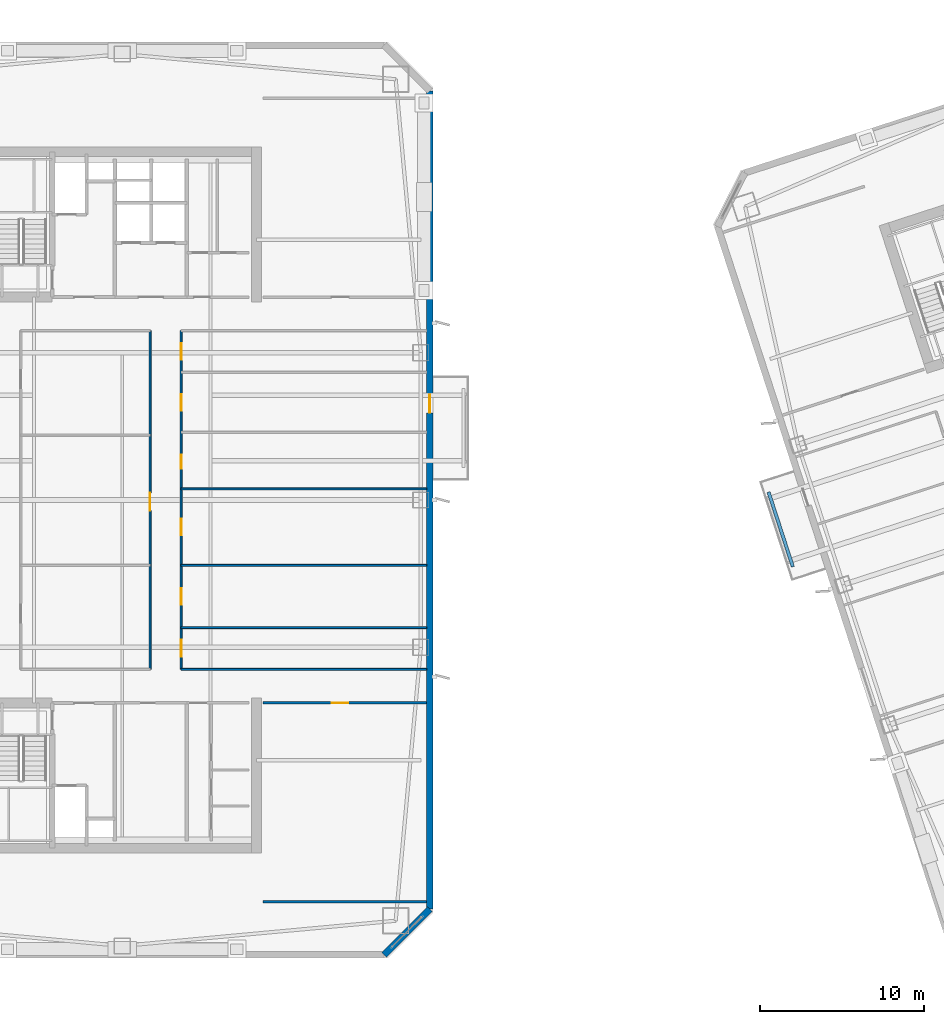
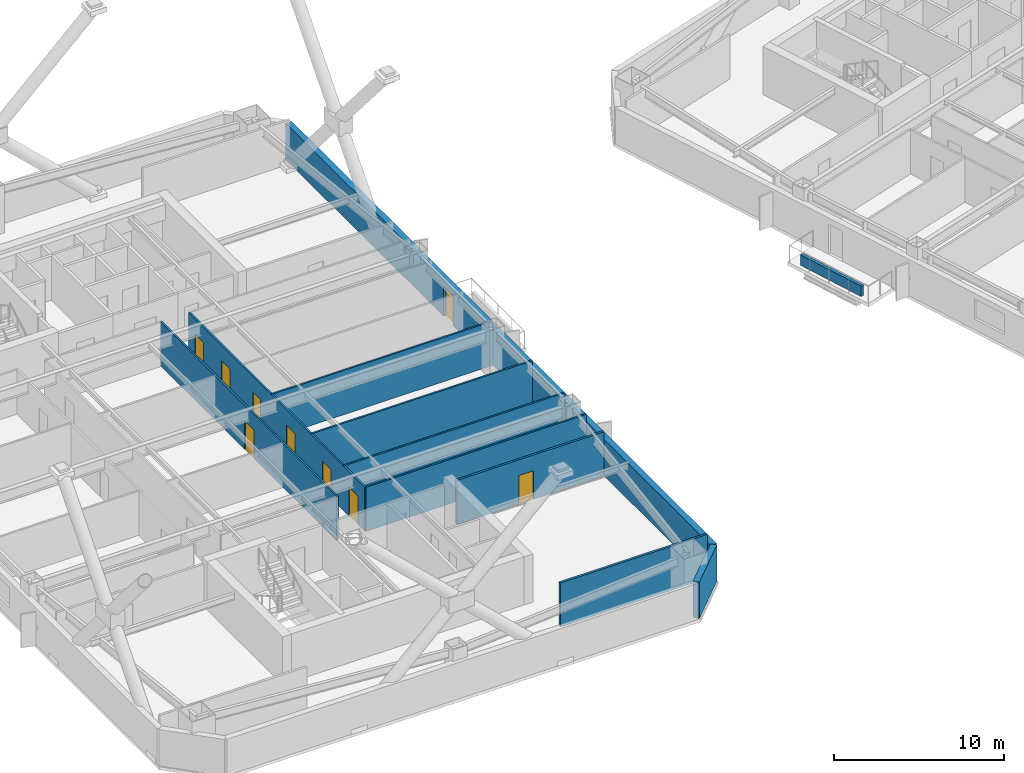
# One storey, part 13 of 24: 11 walls, 9 doors, 9 openings.
"""IFC4 building model written with IfcOpenShell, lengths in metres."""

from ifc_helpers import new_model, si_unit, direction, frame, frame_2d, origin, place, context, subcontext, project, spatial, rectangle, extrude, material, layer, layer_set, type_object, element, fill, save


model = new_model("IFC4")

# Units and contexts
model_context = context("Model", 3, precision=1e-05, world=origin(), true_north=direction((0.0, 1.0)))
body_context = subcontext(model_context, "Body", "Model", "MODEL_VIEW")
ifc_project = project(units=[si_unit("LENGTHUNIT", "METRE"), si_unit("AREAUNIT", "SQUARE_METRE"), si_unit("VOLUMEUNIT", "CUBIC_METRE"), si_unit("PLANEANGLEUNIT", "RADIAN"), si_unit("MASSUNIT", "GRAM", prefix="KILO")], contexts=[model_context])

# Site, building, storey
site_placement = place(None, origin())
site = spatial("IfcSite", under=ifc_project, at=site_placement, CompositionType="ELEMENT")
building_placement = place(site_placement, origin())
building = spatial("IfcBuilding", under=site, at=building_placement, Name="Qiaolan Cultural Towers", CompositionType="ELEMENT")
storey_placement = place(building_placement, frame((0.0, 0.0, 120.75)))
storey = spatial("IfcBuildingStorey", under=building, at=storey_placement, Name="L31", CompositionType="ELEMENT", Elevation=120.75)

# Wall, opening, door
ifc_material_1 = material(Name="Precast Concrete C50 Honed Stone Pier", Category="masonry")
ifc_layer_1 = layer(ifc_material_1, 0.39990234375)
ifc_layer_set_1 = layer_set([ifc_layer_1], Name="Precast Concrete C50 Honed Stone Pier")
wall_type_1 = type_object("IfcWallType", Name="WL-EXT-PIER-400", PredefinedType="SOLIDWALL", material=ifc_layer_set_1)
wall_1_placement = place(storey_placement, frame((48.800048828125, 59.0, 0.0), z_axis=(0.0, 0.0, 1.0), x_axis=(0.0, -1.0, 0.0)))
wall_1 = element("IfcWall", 1, at=wall_1_placement, inside=storey, type_object=wall_type_1, Name="L31 West Tower Precast Pier Facade Wall F5", PredefinedType="SOLIDWALL", context=body_context, shape_type="SweptSolid", body=[
    extrude(rectangle(XDim=50.0, YDim=0.39990234375, at=frame_2d((25.0, 0.0))), origin(), (0.0, 0.0, 1.0), 2.610107421875),
])
opening_1_placement = place(wall_1_placement, frame((18.58349609375, 0.0, 0.0)))
opening_1 = element("IfcOpeningElement", 2, at=opening_1_placement, cuts=wall_1, Name="Opening BD-01", PredefinedType="OPENING", context=body_context, shape_type="SweptSolid", body=[
    extrude(rectangle(XDim=1.10009765625, YDim=2.14990234375, at=frame_2d((0.550048828125, 1.074951171875))), frame((0.0, 0.2099609375, 0.0), z_axis=(0.0, -1.0, 0.0), x_axis=(1.0, 0.0, 0.0)), (0.0, 0.0, 1.0), 0.419921875),
])
ifc_material_2 = material(Name="Thermally Broken Aluminium Glazed Terrace Door", Category="aluminium")
door_type_1 = type_object("IfcDoorType", Name="DR-BAL-1100", OperationType="NOTDEFINED", PredefinedType="DOOR", material=ifc_material_2)
door_1_placement = place(opening_1_placement, origin())
door_1 = element("IfcDoor", 3, at=door_1_placement, inside=storey, type_object=door_type_1, Name="L31 T1 East Tree Balcony Door", OperationType="SINGLE_SWING_RIGHT", OverallHeight=2.14990234375, OverallWidth=1.10009765625, PredefinedType="DOOR", context=body_context, shape_type="SweptSolid", body=[
    extrude(rectangle(XDim=1.10009765625, YDim=2.14990234375, at=frame_2d((0.550048828125, 1.074951171875))), frame((0.0, 0.02490234375, 0.0), z_axis=(0.0, -1.0, 0.0), x_axis=(1.0, 0.0, 0.0)), (0.0, 0.0, 1.0), 0.050048828125),
])
fill(opening_1, door_1)

# Walls
wall_2_placement = place(storey_placement, frame((48.800048828125, 9.0, 0.0), z_axis=(0.0, 0.0, 1.0), x_axis=(-0.707106781187, -0.707106781187, 0.0)))
element("IfcWall", 4, at=wall_2_placement, inside=storey, type_object=wall_type_1, Name="L31 West Tower Precast Pier Facade Wall F6", PredefinedType="SOLIDWALL", context=body_context, shape_type="SweptSolid", body=[
    extrude(rectangle(XDim=3.9599609375, YDim=0.39990234375, at=frame_2d((1.97998046875, 0.0))), origin(), (0.0, 0.0, 1.0), 2.610107421875),
])
ifc_material_3 = material(Name="Gypsum Stud Acoustic Partition", Category="gypsum")
ifc_layer_2 = layer(ifc_material_3, 0.1201171875)
ifc_layer_set_2 = layer_set([ifc_layer_2], Name="Gypsum Stud Acoustic Partition")
wall_type_2 = type_object("IfcWallType", Name="WL-PART-120", PredefinedType="PARTITIONING", material=ifc_layer_set_2)
wall_3_placement = place(storey_placement, frame((33.60009765625, 23.64990234375, 0.0), z_axis=(0.0, 0.0, 1.0), x_axis=(1.0, 0.0, 0.0)))
element("IfcWall", 5, at=wall_3_placement, inside=storey, type_object=wall_type_2, Name="L31 T1 Interior Wall", PredefinedType="PARTITIONING", context=body_context, shape_type="SweptSolid", body=[
    extrude(rectangle(XDim=15.0, YDim=0.1201171875, at=frame_2d((7.5, 0.0))), origin(), (0.0, 0.0, 1.0), 3.175048828125),
])

# Wall, opening, door
wall_4_placement = place(storey_placement, frame((31.699951171875, 23.64990234375, 0.0), z_axis=(0.0, 0.0, 1.0), x_axis=(0.0, 1.0, 0.0)))
wall_4 = element("IfcWall", 6, at=wall_4_placement, inside=storey, type_object=wall_type_2, Name="L31 T1 Interior Wall", PredefinedType="PARTITIONING", context=body_context, shape_type="SweptSolid", body=[
    extrude(rectangle(XDim=20.7001953125, YDim=0.1201171875, at=frame_2d((10.35009765625, 0.0))), origin(), (0.0, 0.0, 1.0), 3.175048828125),
])
opening_2_placement = place(wall_4_placement, frame((9.69580078125, 0.0, 0.0)))
opening_2 = element("IfcOpeningElement", 7, at=opening_2_placement, cuts=wall_4, Name="Opening ID-03", PredefinedType="OPENING", context=body_context, shape_type="SweptSolid", body=[
    extrude(rectangle(XDim=1.10009765625, YDim=2.050048828125, at=frame_2d((0.550048828125, 1.02490234375))), frame((0.0, 0.070068359375, 0.0), z_axis=(0.0, -1.0, 0.0), x_axis=(1.0, 0.0, 0.0)), (0.0, 0.0, 1.0), 0.14013671875),
])
ifc_material_4 = material(Name="Oak Veneer Solid-Core Boardroom Door", Category="timber")
door_type_2 = type_object("IfcDoorType", Name="DR-INT-1100", OperationType="NOTDEFINED", PredefinedType="DOOR", material=ifc_material_4)
door_2_placement = place(opening_2_placement, origin())
door_2 = element("IfcDoor", 8, at=door_2_placement, inside=storey, type_object=door_type_2, Name="L31 T1 Central Study Salon Door", OperationType="SINGLE_SWING_LEFT", OverallHeight=2.050048828125, OverallWidth=1.10009765625, PredefinedType="DOOR", context=body_context, shape_type="SweptSolid", body=[
    extrude(rectangle(XDim=1.10009765625, YDim=2.050048828125, at=frame_2d((0.550048828125, 1.02490234375))), frame((0.0, 0.02490234375, 0.0), z_axis=(0.0, -1.0, 0.0), x_axis=(1.0, 0.0, 0.0)), (0.0, 0.0, 1.0), 0.050048828125),
])
fill(opening_2, door_2)

# Wall, openings, doors
wall_5_placement = place(storey_placement, frame((33.60009765625, 23.64990234375, 0.0), z_axis=(0.0, 0.0, 1.0), x_axis=(0.0, 1.0, 0.0)))
wall_5 = element("IfcWall", 9, at=wall_5_placement, inside=storey, type_object=wall_type_2, Name="L31 T1 Interior Wall", PredefinedType="PARTITIONING", context=body_context, shape_type="SweptSolid", body=[
    extrude(rectangle(XDim=20.7001953125, YDim=0.1201171875, at=frame_2d((10.35009765625, 0.0))), origin(), (0.0, 0.0, 1.0), 3.175048828125),
])
opening_3_placement = place(wall_5_placement, frame((0.77490234375, 0.0, 0.0)))
opening_3 = element("IfcOpeningElement", 10, at=opening_3_placement, cuts=wall_5, Name="Opening ID-07", PredefinedType="OPENING", context=body_context, shape_type="SweptSolid", body=[
    extrude(rectangle(XDim=1.050048828125, YDim=2.050048828125, at=frame_2d((0.52490234375, 1.02490234375))), frame((0.0, 0.070068359375, 0.0), z_axis=(0.0, -1.0, 0.0), x_axis=(1.0, 0.0, 0.0)), (0.0, 0.0, 1.0), 0.14013671875),
])
opening_4_placement = place(wall_5_placement, frame((3.949951171875, 0.0, 0.0)))
opening_4 = element("IfcOpeningElement", 11, at=opening_4_placement, cuts=wall_5, Name="Opening ID-04", PredefinedType="OPENING", context=body_context, shape_type="SweptSolid", body=[
    extrude(rectangle(XDim=1.0, YDim=2.050048828125, at=frame_2d((0.5, 1.02490234375))), frame((0.0, 0.070068359375, 0.0), z_axis=(0.0, -1.0, 0.0), x_axis=(1.0, 0.0, 0.0)), (0.0, 0.0, 1.0), 0.14013671875),
])
opening_5_placement = place(wall_5_placement, frame((8.18994140625, 0.0, 0.0)))
opening_5 = element("IfcOpeningElement", 12, at=opening_5_placement, cuts=wall_5, Name="Opening ID-04", PredefinedType="OPENING", context=body_context, shape_type="SweptSolid", body=[
    extrude(rectangle(XDim=1.0, YDim=2.050048828125, at=frame_2d((0.5, 1.02490234375))), frame((0.0, 0.070068359375, 0.0), z_axis=(0.0, -1.0, 0.0), x_axis=(1.0, 0.0, 0.0)), (0.0, 0.0, 1.0), 0.14013671875),
])
opening_6_placement = place(wall_5_placement, frame((12.256591796875, 0.0, 0.0)))
opening_6 = element("IfcOpeningElement", 13, at=opening_6_placement, cuts=wall_5, Name="Opening ID-09", PredefinedType="OPENING", context=body_context, shape_type="SweptSolid", body=[
    extrude(rectangle(XDim=0.85009765625, YDim=2.050048828125, at=frame_2d((0.425048828125, 1.02490234375))), frame((0.0, 0.070068359375, 0.0), z_axis=(0.0, -1.0, 0.0), x_axis=(1.0, 0.0, 0.0)), (0.0, 0.0, 1.0), 0.14013671875),
])
opening_7_placement = place(wall_5_placement, frame((15.81640625, 0.0, 0.0)))
opening_7 = element("IfcOpeningElement", 14, at=opening_7_placement, cuts=wall_5, Name="Opening ID-04", PredefinedType="OPENING", context=body_context, shape_type="SweptSolid", body=[
    extrude(rectangle(XDim=1.0, YDim=2.050048828125, at=frame_2d((0.5, 1.02490234375))), frame((0.0, 0.070068359375, 0.0), z_axis=(0.0, -1.0, 0.0), x_axis=(1.0, 0.0, 0.0)), (0.0, 0.0, 1.0), 0.14013671875),
])
opening_8_placement = place(wall_5_placement, frame((18.925048828125, 0.0, 0.0)))
opening_8 = element("IfcOpeningElement", 15, at=opening_8_placement, cuts=wall_5, Name="Opening ID-04", PredefinedType="OPENING", context=body_context, shape_type="SweptSolid", body=[
    extrude(rectangle(XDim=1.0, YDim=2.050048828125, at=frame_2d((0.5, 1.02490234375))), frame((0.0, 0.070068359375, 0.0), z_axis=(0.0, -1.0, 0.0), x_axis=(1.0, 0.0, 0.0)), (0.0, 0.0, 1.0), 0.14013671875),
])
ifc_material_5 = material(Name="Oak Veneer Acoustic Office Door", Category="timber")
door_type_3 = type_object("IfcDoorType", Name="DR-INT-1000", OperationType="NOTDEFINED", PredefinedType="DOOR", material=ifc_material_5)
door_3_placement = place(opening_4_placement, origin())
door_3 = element("IfcDoor", 16, at=door_3_placement, inside=storey, type_object=door_type_3, Name="L31 T1 Symposium Room Door", OperationType="SINGLE_SWING_LEFT", OverallHeight=2.050048828125, OverallWidth=1.0, PredefinedType="DOOR", context=body_context, shape_type="SweptSolid", body=[
    extrude(rectangle(XDim=1.0, YDim=2.050048828125, at=frame_2d((0.5, 1.02490234375))), frame((0.0, 0.02490234375, 0.0), z_axis=(0.0, -1.0, 0.0), x_axis=(1.0, 0.0, 0.0)), (0.0, 0.0, 1.0), 0.050048828125),
])
fill(opening_4, door_3)
door_4_placement = place(opening_5_placement, origin())
door_4 = element("IfcDoor", 17, at=door_4_placement, inside=storey, type_object=door_type_3, Name="L31 T1 Symposium Room Door", OperationType="SINGLE_SWING_RIGHT", OverallHeight=2.050048828125, OverallWidth=1.0, PredefinedType="DOOR", context=body_context, shape_type="SweptSolid", body=[
    extrude(rectangle(XDim=1.0, YDim=2.050048828125, at=frame_2d((0.5, 1.02490234375))), frame((0.0, 0.02490234375, 0.0), z_axis=(0.0, -1.0, 0.0), x_axis=(1.0, 0.0, 0.0)), (0.0, 0.0, 1.0), 0.050048828125),
])
fill(opening_5, door_4)
door_5_placement = place(opening_7_placement, origin())
door_5 = element("IfcDoor", 18, at=door_5_placement, inside=storey, type_object=door_type_3, Name="L31 T1 Nursing & Wellness Room Door", OperationType="SINGLE_SWING_RIGHT", OverallHeight=2.050048828125, OverallWidth=1.0, PredefinedType="DOOR", context=body_context, shape_type="SweptSolid", body=[
    extrude(rectangle(XDim=1.0, YDim=2.050048828125, at=frame_2d((0.5, 1.02490234375))), frame((0.0, 0.02490234375, 0.0), z_axis=(0.0, -1.0, 0.0), x_axis=(1.0, 0.0, 0.0)), (0.0, 0.0, 1.0), 0.050048828125),
])
fill(opening_7, door_5)
door_6_placement = place(opening_8_placement, origin())
door_6 = element("IfcDoor", 19, at=door_6_placement, inside=storey, type_object=door_type_3, Name="L31 T1 Reading Lounge Door", OperationType="SINGLE_SWING_LEFT", OverallHeight=2.050048828125, OverallWidth=1.0, PredefinedType="DOOR", context=body_context, shape_type="SweptSolid", body=[
    extrude(rectangle(XDim=1.0, YDim=2.050048828125, at=frame_2d((0.5, 1.02490234375))), frame((0.0, 0.02490234375, 0.0), z_axis=(0.0, -1.0, 0.0), x_axis=(1.0, 0.0, 0.0)), (0.0, 0.0, 1.0), 0.050048828125),
])
fill(opening_8, door_6)
ifc_material_6 = material(Name="Oak Veneer Consultation Door", Category="timber")
door_type_4 = type_object("IfcDoorType", Name="DR-INT-1050", OperationType="NOTDEFINED", PredefinedType="DOOR", material=ifc_material_6)
door_7_placement = place(opening_3_placement, origin())
door_7 = element("IfcDoor", 20, at=door_7_placement, inside=storey, type_object=door_type_4, Name="L31 T1 Symposium Room Door", OperationType="SINGLE_SWING_RIGHT", OverallHeight=2.050048828125, OverallWidth=1.050048828125, PredefinedType="DOOR", context=body_context, shape_type="SweptSolid", body=[
    extrude(rectangle(XDim=1.050048828125, YDim=2.050048828125, at=frame_2d((0.52490234375, 1.02490234375))), frame((0.0, 0.02490234375, 0.0), z_axis=(0.0, -1.0, 0.0), x_axis=(1.0, 0.0, 0.0)), (0.0, 0.0, 1.0), 0.050048828125),
])
fill(opening_3, door_7)
ifc_material_7 = material(Name="Moisture-Resistant Laminate Utility Door", Category="timber")
door_type_5 = type_object("IfcDoorType", Name="DR-INT-850", OperationType="NOTDEFINED", PredefinedType="DOOR", material=ifc_material_7)
door_8_placement = place(opening_6_placement, origin())
door_8 = element("IfcDoor", 21, at=door_8_placement, inside=storey, type_object=door_type_5, Name="L31 T1 Symposium Room Door", OperationType="SINGLE_SWING_LEFT", OverallHeight=2.050048828125, OverallWidth=0.85009765625, PredefinedType="DOOR", context=body_context, shape_type="SweptSolid", body=[
    extrude(rectangle(XDim=0.85009765625, YDim=2.050048828125, at=frame_2d((0.425048828125, 1.02490234375))), frame((0.0, 0.02490234375, 0.0), z_axis=(0.0, -1.0, 0.0), x_axis=(1.0, 0.0, 0.0)), (0.0, 0.0, 1.0), 0.050048828125),
])
fill(opening_6, door_8)

# Walls
for number, where, z_axis, x_axis, name in (
    (22, (33.60009765625, 26.199951171875, 0.0), (0.0, 0.0, 1.0), (1.0, 0.0, 0.0), "L31 T1 Interior Wall"),
    (23, (33.60009765625, 30.0, 0.0), (0.0, 0.0, 1.0), (1.0, 0.0, 0.0), "L31 T1 Interior Wall"),
    (24, (33.60009765625, 34.679931640625, 0.0), (0.0, 0.0, 1.0), (1.0, 0.0, 0.0), "L31 T1 Interior Wall"),
):
    element("IfcWall", number, at=place(storey_placement, frame(where, z_axis=z_axis, x_axis=x_axis)), inside=storey, type_object=wall_type_2, Name=name, PredefinedType="PARTITIONING", context=body_context, shape_type="SweptSolid", body=[
        extrude(rectangle(XDim=15.0, YDim=0.1201171875, at=frame_2d((7.5, 0.0))), origin(), (0.0, 0.0, 1.0), 3.175048828125),
    ])
ifc_material_8 = material(Name="Autoclaved Aerated Concrete Block B06", Category="concrete")
ifc_layer_3 = layer(ifc_material_8, 0.14990234375)
ifc_layer_set_3 = layer_set([ifc_layer_3], Name="Autoclaved Aerated Concrete Block B06")
wall_type_3 = type_object("IfcWallType", Name="WL-PART-150", PredefinedType="PARTITIONING", material=ifc_layer_set_3)
wall_6_placement = place(storey_placement, frame((38.60009765625, 9.449951171875, 0.0), z_axis=(0.0, 0.0, 1.0), x_axis=(1.0, 0.0, 0.0)))
element("IfcWall", 25, at=wall_6_placement, inside=storey, type_object=wall_type_3, Name="L31 T1 Flank Wall FLK-SE", PredefinedType="PARTITIONING", context=body_context, shape_type="SweptSolid", body=[
    extrude(rectangle(XDim=10.0, YDim=0.14990234375, at=frame_2d((5.0, 0.0))), origin(), (0.0, 0.0, 1.0), 3.175048828125),
])

# Wall, opening, door
wall_7_placement = place(storey_placement, frame((38.60009765625, 21.60009765625, 0.0), z_axis=(0.0, 0.0, 1.0), x_axis=(1.0, 0.0, 0.0)))
wall_7 = element("IfcWall", 26, at=wall_7_placement, inside=storey, type_object=wall_type_3, Name="L31 T1 Flank Front FLK-SE", PredefinedType="PARTITIONING", context=body_context, shape_type="SweptSolid", body=[
    extrude(rectangle(XDim=10.0, YDim=0.14990234375, at=frame_2d((5.0, 0.0))), origin(), (0.0, 0.0, 1.0), 3.175048828125),
])
opening_9_placement = place(wall_7_placement, frame((4.199951171875, 0.0, 0.0)))
opening_9 = element("IfcOpeningElement", 27, at=opening_9_placement, cuts=wall_7, Name="Opening ID-04", PredefinedType="OPENING", context=body_context, shape_type="SweptSolid", body=[
    extrude(rectangle(XDim=1.0, YDim=2.050048828125, at=frame_2d((0.5, 1.02490234375))), frame((0.0, 0.0849609375, 0.0), z_axis=(0.0, -1.0, 0.0), x_axis=(1.0, 0.0, 0.0)), (0.0, 0.0, 1.0), 0.169921875),
])
door_9_placement = place(opening_9_placement, origin())
door_9 = element("IfcDoor", 28, at=door_9_placement, inside=storey, type_object=door_type_3, Name="L31 T1 Corner Studio Door", OperationType="SINGLE_SWING_LEFT", OverallHeight=2.050048828125, OverallWidth=1.0, PredefinedType="DOOR", context=body_context, shape_type="SweptSolid", body=[
    extrude(rectangle(XDim=1.0, YDim=2.050048828125, at=frame_2d((0.5, 1.02490234375))), frame((0.0, 0.02490234375, 0.0), z_axis=(0.0, -1.0, 0.0), x_axis=(1.0, 0.0, 0.0)), (0.0, 0.0, 1.0), 0.050048828125),
])
fill(opening_9, door_9)

# Wall
ifc_material_9 = material(Name="Precast Concrete C45 Tree Planter Upstand", Category="concrete")
ifc_layer_4 = layer(ifc_material_9, 0.199951171875)
ifc_layer_set_4 = layer_set([ifc_layer_4], Name="Precast Concrete C45 Tree Planter Upstand")
wall_type_4 = type_object("IfcWallType", Name="WL-PLANTER-200", PredefinedType="PARAPET", material=ifc_layer_set_4)
wall_8_placement = place(storey_placement, frame((70.97900390625, 29.922607421875, 0.0), z_axis=(0.0, 0.0, 1.0), x_axis=(-0.308986014439, 0.951066581729, 0.0)))
element("IfcWall", 29, at=wall_8_placement, inside=storey, type_object=wall_type_4, Name="L31 T2 Tree Balcony Soil Planter Box W", PredefinedType="PARAPET", context=body_context, shape_type="SweptSolid", body=[
    extrude(rectangle(XDim=4.800048828125, YDim=0.199951171875, at=frame_2d((2.39990234375, 0.0))), origin(), (0.0, 0.0, 1.0), 0.75),
])

save(model, "model.ifc")
